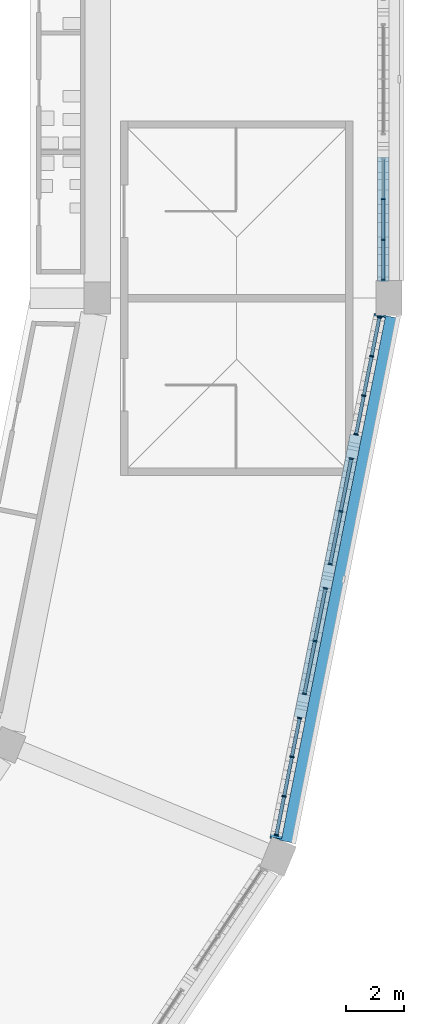
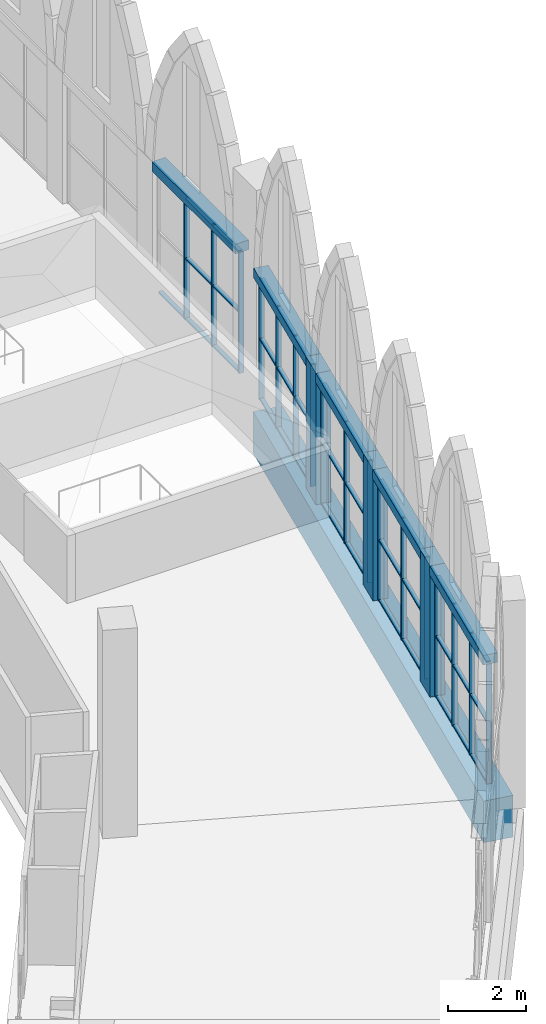
# One storey, part 21 of 130: 57 members, 6 beams, 5 elements without a shape of their own.
"""IFC4 building model written with IfcOpenShell, lengths in metres."""

from ifc_helpers import new_model, si_unit, direction, frame, origin, origin_2d, place, context, subcontext, project, spatial, rectangle, extrude, material, material_profile, profile_set, type_object, element, aggregate, save


model = new_model("IFC4")

# Units and contexts
model_context = context("Model", 3, precision=1e-05, world=origin(), true_north=direction((0.0, 1.0)))
body_context = subcontext(model_context, "Body", "Model", "MODEL_VIEW")
ifc_project = project(units=[si_unit("LENGTHUNIT", "METRE"), si_unit("AREAUNIT", "SQUARE_METRE"), si_unit("VOLUMEUNIT", "CUBIC_METRE"), si_unit("PLANEANGLEUNIT", "RADIAN"), si_unit("MASSUNIT", "GRAM", prefix="KILO")], contexts=[model_context])

# Site, building, storey
site_placement = place(None, origin())
site = spatial("IfcSite", under=ifc_project, at=site_placement, CompositionType="ELEMENT")
building_placement = place(site_placement, origin())
building = spatial("IfcBuilding", under=site, at=building_placement, Name="Ogive Plaza Stadium", CompositionType="ELEMENT")
storey_placement = place(building_placement, frame((0.0, 0.0, 22.5)))
storey = spatial("IfcBuildingStorey", under=building, at=storey_placement, Name="L05", CompositionType="ELEMENT", Elevation=22.5)

# Curtain wall, members
ifc_material_1 = material(Name="Bronze-anodised aluminium with laminated glass", Category="aluminium")
curtain_wall_type = type_object("IfcCurtainWallType", Name="Lancet curtain wall", PredefinedType="NOTDEFINED", material=ifc_material_1)
curtain_wall_1_placement = place(storey_placement, origin())
curtain_wall_1 = element("IfcCurtainWall", 1, at=curtain_wall_1_placement, inside=storey, type_object=curtain_wall_type, Name="CURTAIN WALL B07 L05", PredefinedType="NOTDEFINED")
ifc_material_2 = material(Name="Bronze-anodised aluminium", Category="aluminium")
ifc_material_profile_1 = material_profile(ifc_material_2, rectangle(XDim=0.14990234375, YDim=0.050048828125, at=origin_2d()), Name="AL 150x50")
ifc_profile_set_1 = profile_set([ifc_material_profile_1], Name="Bronze-anodised aluminium")
member_type_1 = type_object("IfcMemberType", Name="Curtain wall mullion 50x150", PredefinedType="MULLION", material=ifc_profile_set_1)
member_1_placement = place(storey_placement, frame((83.800048828125, -49.10009765625, 0.0), z_axis=(0.0, 0.0, 1.0), x_axis=(1.0, 0.0, 0.0)))
member_1 = element("IfcMember", 2, at=member_1_placement, type_object=member_type_1, Name="CW-B07-L05.3 mullion 2", PredefinedType="MULLION", context=body_context, shape_type="SweptSolid", body=[
    extrude(rectangle(XDim=0.14990234375, YDim=0.050048828125, at=origin_2d()), origin(), (0.0, 0.0, 1.0), 3.800048828125),
])
member_2_placement = place(storey_placement, frame((83.800048828125, -50.5, 0.0), z_axis=(0.0, 0.0, 1.0), x_axis=(1.0, 0.0, 0.0)))
member_2 = element("IfcMember", 3, at=member_2_placement, type_object=member_type_1, Name="CW-B07-L05.3 mullion 3", PredefinedType="MULLION", context=body_context, shape_type="SweptSolid", body=[
    extrude(rectangle(XDim=0.14990234375, YDim=0.050048828125, at=origin_2d()), origin(), (0.0, 0.0, 1.0), 3.800048828125),
])
member_3_placement = place(storey_placement, frame((83.800048828125, -51.875, 0.0), z_axis=(0.0, 0.0, 1.0), x_axis=(1.0, 0.0, 0.0)))
member_3 = element("IfcMember", 4, at=member_3_placement, type_object=member_type_1, Name="CW-B07-L05.3 mullion 4", PredefinedType="MULLION", context=body_context, shape_type="SweptSolid", body=[
    extrude(rectangle(XDim=0.14990234375, YDim=0.050048828125, at=origin_2d()), origin(), (0.0, 0.0, 1.0), 3.800048828125),
])

curtain_wall_2_placement = place(storey_placement, origin())
curtain_wall_2 = element("IfcCurtainWall", 5, at=curtain_wall_2_placement, inside=storey, type_object=curtain_wall_type, Name="CURTAIN WALL B08 L05", PredefinedType="NOTDEFINED")
member_4_placement = place(storey_placement, frame((83.6640625, -53.16357421875, 0.0), z_axis=(0.0, 0.0, 1.0), x_axis=(0.980785280403, -0.195090322016, 0.0)))
member_4 = element("IfcMember", 6, at=member_4_placement, type_object=member_type_1, Name="CW-B08-L05.1 mullion 1", PredefinedType="MULLION", context=body_context, shape_type="SweptSolid", body=[
    extrude(rectangle(XDim=0.14990234375, YDim=0.050048828125, at=origin_2d()), origin(), (0.0, 0.0, 1.0), 3.800048828125),
])
member_5_placement = place(storey_placement, frame((83.400390625, -54.48974609375, 0.0), z_axis=(0.0, 0.0, 1.0), x_axis=(0.980785280403, -0.195090322016, 0.0)))
member_5 = element("IfcMember", 7, at=member_5_placement, type_object=member_type_1, Name="CW-B08-L05.1 mullion 2", PredefinedType="MULLION", context=body_context, shape_type="SweptSolid", body=[
    extrude(rectangle(XDim=0.14990234375, YDim=0.050048828125, at=origin_2d()), origin(), (0.0, 0.0, 1.0), 3.800048828125),
])
member_6_placement = place(storey_placement, frame((83.131591796875, -55.840576171875, 0.0), z_axis=(0.0, 0.0, 1.0), x_axis=(0.980785280403, -0.195090322016, 0.0)))
member_6 = element("IfcMember", 8, at=member_6_placement, type_object=member_type_1, Name="CW-B08-L05.1 mullion 3", PredefinedType="MULLION", context=body_context, shape_type="SweptSolid", body=[
    extrude(rectangle(XDim=0.14990234375, YDim=0.050048828125, at=origin_2d()), origin(), (0.0, 0.0, 1.0), 3.800048828125),
])
member_7_placement = place(storey_placement, frame((82.867919921875, -57.166748046875, 0.0), z_axis=(0.0, 0.0, 1.0), x_axis=(0.980785280403, -0.195090322016, 0.0)))
member_7 = element("IfcMember", 9, at=member_7_placement, type_object=member_type_1, Name="CW-B08-L05.1 mullion 4", PredefinedType="MULLION", context=body_context, shape_type="SweptSolid", body=[
    extrude(rectangle(XDim=0.14990234375, YDim=0.050048828125, at=origin_2d()), origin(), (0.0, 0.0, 1.0), 3.800048828125),
])

curtain_wall_3_placement = place(storey_placement, origin())
curtain_wall_3 = element("IfcCurtainWall", 10, at=curtain_wall_3_placement, inside=storey, type_object=curtain_wall_type, Name="CURTAIN WALL B08 L05", PredefinedType="NOTDEFINED")
member_8_placement = place(storey_placement, frame((82.701904296875, -58.00048828125, 0.0), z_axis=(0.0, 0.0, 1.0), x_axis=(0.980785280417, -0.195090321948, 0.0)))
member_8 = element("IfcMember", 11, at=member_8_placement, type_object=member_type_1, Name="CW-B08-L05.2 mullion 1", PredefinedType="MULLION", context=body_context, shape_type="SweptSolid", body=[
    extrude(rectangle(XDim=0.14990234375, YDim=0.050048828125, at=origin_2d()), origin(), (0.0, 0.0, 1.0), 3.800048828125),
])
member_9_placement = place(storey_placement, frame((82.3427734375, -59.805908203125, 0.0), z_axis=(0.0, 0.0, 1.0), x_axis=(0.980785280417, -0.195090321948, 0.0)))
member_9 = element("IfcMember", 12, at=member_9_placement, type_object=member_type_1, Name="CW-B08-L05.2 mullion 2", PredefinedType="MULLION", context=body_context, shape_type="SweptSolid", body=[
    extrude(rectangle(XDim=0.14990234375, YDim=0.050048828125, at=origin_2d()), origin(), (0.0, 0.0, 1.0), 3.800048828125),
])
member_10_placement = place(storey_placement, frame((81.983642578125, -61.611328125, 0.0), z_axis=(0.0, 0.0, 1.0), x_axis=(0.980785280417, -0.195090321948, 0.0)))
member_10 = element("IfcMember", 13, at=member_10_placement, type_object=member_type_1, Name="CW-B08-L05.2 mullion 3", PredefinedType="MULLION", context=body_context, shape_type="SweptSolid", body=[
    extrude(rectangle(XDim=0.14990234375, YDim=0.050048828125, at=origin_2d()), origin(), (0.0, 0.0, 1.0), 3.800048828125),
])

curtain_wall_4_placement = place(storey_placement, origin())
curtain_wall_4 = element("IfcCurtainWall", 14, at=curtain_wall_4_placement, inside=storey, type_object=curtain_wall_type, Name="CURTAIN WALL B08 L05", PredefinedType="NOTDEFINED")
member_11_placement = place(storey_placement, frame((81.81787109375, -62.44482421875, 0.0), z_axis=(0.0, 0.0, 1.0), x_axis=(0.980785280417, -0.195090321948, 0.0)))
member_11 = element("IfcMember", 15, at=member_11_placement, type_object=member_type_1, Name="CW-B08-L05.3 mullion 1", PredefinedType="MULLION", context=body_context, shape_type="SweptSolid", body=[
    extrude(rectangle(XDim=0.14990234375, YDim=0.050048828125, at=origin_2d()), origin(), (0.0, 0.0, 1.0), 3.800048828125),
])
member_12_placement = place(storey_placement, frame((81.458740234375, -64.250244140625, 0.0), z_axis=(0.0, 0.0, 1.0), x_axis=(0.980785280417, -0.195090321948, 0.0)))
member_12 = element("IfcMember", 16, at=member_12_placement, type_object=member_type_1, Name="CW-B08-L05.3 mullion 2", PredefinedType="MULLION", context=body_context, shape_type="SweptSolid", body=[
    extrude(rectangle(XDim=0.14990234375, YDim=0.050048828125, at=origin_2d()), origin(), (0.0, 0.0, 1.0), 3.800048828125),
])
member_13_placement = place(storey_placement, frame((81.099609375, -66.0556640625, 0.0), z_axis=(0.0, 0.0, 1.0), x_axis=(0.980785280417, -0.195090321948, 0.0)))
member_13 = element("IfcMember", 17, at=member_13_placement, type_object=member_type_1, Name="CW-B08-L05.3 mullion 3", PredefinedType="MULLION", context=body_context, shape_type="SweptSolid", body=[
    extrude(rectangle(XDim=0.14990234375, YDim=0.050048828125, at=origin_2d()), origin(), (0.0, 0.0, 1.0), 3.800048828125),
])

curtain_wall_5_placement = place(storey_placement, origin())
curtain_wall_5 = element("IfcCurtainWall", 18, at=curtain_wall_5_placement, inside=storey, type_object=curtain_wall_type, Name="CURTAIN WALL B08 L05", PredefinedType="NOTDEFINED")
member_14_placement = place(storey_placement, frame((80.933837890625, -66.889404296875, 0.0), z_axis=(0.0, 0.0, 1.0), x_axis=(0.980785280403, -0.195090322016, 0.0)))
member_14 = element("IfcMember", 19, at=member_14_placement, type_object=member_type_1, Name="CW-B08-L05.4 mullion 1", PredefinedType="MULLION", context=body_context, shape_type="SweptSolid", body=[
    extrude(rectangle(XDim=0.14990234375, YDim=0.050048828125, at=origin_2d()), origin(), (0.0, 0.0, 1.0), 3.800048828125),
])
member_15_placement = place(storey_placement, frame((80.670166015625, -68.215576171875, 0.0), z_axis=(0.0, 0.0, 1.0), x_axis=(0.980785280403, -0.195090322016, 0.0)))
member_15 = element("IfcMember", 20, at=member_15_placement, type_object=member_type_1, Name="CW-B08-L05.4 mullion 2", PredefinedType="MULLION", context=body_context, shape_type="SweptSolid", body=[
    extrude(rectangle(XDim=0.14990234375, YDim=0.050048828125, at=origin_2d()), origin(), (0.0, 0.0, 1.0), 3.800048828125),
])
member_16_placement = place(storey_placement, frame((80.4013671875, -69.56640625, 0.0), z_axis=(0.0, 0.0, 1.0), x_axis=(0.980785280403, -0.195090322016, 0.0)))
member_16 = element("IfcMember", 21, at=member_16_placement, type_object=member_type_1, Name="CW-B08-L05.4 mullion 3", PredefinedType="MULLION", context=body_context, shape_type="SweptSolid", body=[
    extrude(rectangle(XDim=0.14990234375, YDim=0.050048828125, at=origin_2d()), origin(), (0.0, 0.0, 1.0), 3.800048828125),
])
member_17_placement = place(storey_placement, frame((80.137451171875, -70.892578125, 0.0), z_axis=(0.0, 0.0, 1.0), x_axis=(0.980785280403, -0.195090322016, 0.0)))
member_17 = element("IfcMember", 22, at=member_17_placement, type_object=member_type_1, Name="CW-B08-L05.4 mullion 4", PredefinedType="MULLION", context=body_context, shape_type="SweptSolid", body=[
    extrude(rectangle(XDim=0.14990234375, YDim=0.050048828125, at=origin_2d()), origin(), (0.0, 0.0, 1.0), 3.800048828125),
])

# Member
ifc_material_3 = material(Name="Bronze-anodised aluminium", Category="aluminium")
ifc_material_profile_2 = material_profile(ifc_material_3, rectangle(XDim=0.1201171875, YDim=0.050048828125, at=origin_2d()), Name="AL 120x50")
ifc_profile_set_2 = profile_set([ifc_material_profile_2], Name="Bronze-anodised aluminium")
member_type_2 = type_object("IfcMemberType", Name="Curtain wall transom 50x120", PredefinedType="USERDEFINED", material=ifc_profile_set_2)
member_18_placement = place(storey_placement, frame((83.800048828125, -47.75, 0.02490234375), z_axis=(0.0, -1.0, 0.0), x_axis=(1.0, 0.0, 0.0)))
member_18 = element("IfcMember", 23, at=member_18_placement, type_object=member_type_2, Name="CW-B07-L05.3 transom 1.1", ObjectType="TRANSOM", PredefinedType="USERDEFINED", context=body_context, shape_type="SweptSolid", body=[
    extrude(rectangle(XDim=0.1201171875, YDim=0.050048828125, at=origin_2d()), origin(), (0.0, 0.0, 1.0), 1.324951171875),
])

member_19_placement = place(storey_placement, frame((83.800048828125, -49.125, 0.02490234375), z_axis=(0.0, -1.0, 0.0), x_axis=(1.0, 0.0, 0.0)))
member_19 = element("IfcMember", 24, at=member_19_placement, type_object=member_type_2, Name="CW-B07-L05.3 transom 2.1", ObjectType="TRANSOM", PredefinedType="USERDEFINED", context=body_context, shape_type="SweptSolid", body=[
    extrude(rectangle(XDim=0.1201171875, YDim=0.050048828125, at=origin_2d()), origin(), (0.0, 0.0, 1.0), 1.35009765625),
])

member_20_placement = place(storey_placement, frame((83.800048828125, -49.125, 1.89990234375), z_axis=(0.0, -1.0, 0.0), x_axis=(1.0, 0.0, 0.0)))
member_20 = element("IfcMember", 25, at=member_20_placement, type_object=member_type_2, Name="CW-B07-L05.3 transom 2.2", ObjectType="TRANSOM", PredefinedType="USERDEFINED", context=body_context, shape_type="SweptSolid", body=[
    extrude(rectangle(XDim=0.1201171875, YDim=0.050048828125, at=origin_2d()), origin(), (0.0, 0.0, 1.0), 1.35009765625),
])

member_21_placement = place(storey_placement, frame((83.800048828125, -49.125, 3.77490234375), z_axis=(0.0, -1.0, 0.0), x_axis=(1.0, 0.0, 0.0)))
member_21 = element("IfcMember", 26, at=member_21_placement, type_object=member_type_2, Name="CW-B07-L05.3 transom 2.3", ObjectType="TRANSOM", PredefinedType="USERDEFINED", context=body_context, shape_type="SweptSolid", body=[
    extrude(rectangle(XDim=0.1201171875, YDim=0.050048828125, at=origin_2d()), origin(), (0.0, 0.0, 1.0), 1.35009765625),
])

member_22_placement = place(storey_placement, frame((83.800048828125, -50.52490234375, 0.02490234375), z_axis=(0.0, -1.0, 0.0), x_axis=(1.0, 0.0, 0.0)))
member_22 = element("IfcMember", 27, at=member_22_placement, type_object=member_type_2, Name="CW-B07-L05.3 transom 3.1", ObjectType="TRANSOM", PredefinedType="USERDEFINED", context=body_context, shape_type="SweptSolid", body=[
    extrude(rectangle(XDim=0.1201171875, YDim=0.050048828125, at=origin_2d()), origin(), (0.0, 0.0, 1.0), 1.3251953125),
])

member_23_placement = place(storey_placement, frame((83.800048828125, -50.52490234375, 1.89990234375), z_axis=(0.0, -1.0, 0.0), x_axis=(1.0, 0.0, 0.0)))
member_23 = element("IfcMember", 28, at=member_23_placement, type_object=member_type_2, Name="CW-B07-L05.3 transom 3.2", ObjectType="TRANSOM", PredefinedType="USERDEFINED", context=body_context, shape_type="SweptSolid", body=[
    extrude(rectangle(XDim=0.1201171875, YDim=0.050048828125, at=origin_2d()), origin(), (0.0, 0.0, 1.0), 1.3251953125),
])

member_24_placement = place(storey_placement, frame((83.800048828125, -50.52490234375, 3.77490234375), z_axis=(0.0, -1.0, 0.0), x_axis=(1.0, 0.0, 0.0)))
member_24 = element("IfcMember", 29, at=member_24_placement, type_object=member_type_2, Name="CW-B07-L05.3 transom 3.3", ObjectType="TRANSOM", PredefinedType="USERDEFINED", context=body_context, shape_type="SweptSolid", body=[
    extrude(rectangle(XDim=0.1201171875, YDim=0.050048828125, at=origin_2d()), origin(), (0.0, 0.0, 1.0), 1.3251953125),
])

aggregate(curtain_wall_1, [member_1, member_2, member_3, member_18, member_19, member_20, member_21, member_22, member_23, member_24])

member_25_placement = place(storey_placement, frame((83.6591796875, -53.18798828125, 0.02490234375), z_axis=(-0.194962375892, -0.980810721794, 0.0), x_axis=(0.980810721794, -0.194962375892, 0.0)))
member_25 = element("IfcMember", 30, at=member_25_placement, type_object=member_type_2, Name="CW-B08-L05.1 transom 1.1", ObjectType="TRANSOM", PredefinedType="USERDEFINED", context=body_context, shape_type="SweptSolid", body=[
    extrude(rectangle(XDim=0.1201171875, YDim=0.050048828125, at=origin_2d()), origin(), (0.0, 0.0, 1.0), 1.30224609375),
])

member_26_placement = place(storey_placement, frame((83.6591796875, -53.18798828125, 1.89990234375), z_axis=(-0.194962375892, -0.980810721794, 0.0), x_axis=(0.980810721794, -0.194962375892, 0.0)))
member_26 = element("IfcMember", 31, at=member_26_placement, type_object=member_type_2, Name="CW-B08-L05.1 transom 1.2", ObjectType="TRANSOM", PredefinedType="USERDEFINED", context=body_context, shape_type="SweptSolid", body=[
    extrude(rectangle(XDim=0.1201171875, YDim=0.050048828125, at=origin_2d()), origin(), (0.0, 0.0, 1.0), 1.30224609375),
])

member_27_placement = place(storey_placement, frame((83.6591796875, -53.18798828125, 3.77490234375), z_axis=(-0.194962375892, -0.980810721794, 0.0), x_axis=(0.980810721794, -0.194962375892, 0.0)))
member_27 = element("IfcMember", 32, at=member_27_placement, type_object=member_type_2, Name="CW-B08-L05.1 transom 1.3", ObjectType="TRANSOM", PredefinedType="USERDEFINED", context=body_context, shape_type="SweptSolid", body=[
    extrude(rectangle(XDim=0.1201171875, YDim=0.050048828125, at=origin_2d()), origin(), (0.0, 0.0, 1.0), 1.30224609375),
])

member_28_placement = place(storey_placement, frame((83.3955078125, -54.51416015625, 0.02490234375), z_axis=(-0.195160965974, -0.980771225801, 0.0), x_axis=(0.980771225801, -0.195160965974, 0.0)))
member_28 = element("IfcMember", 33, at=member_28_placement, type_object=member_type_2, Name="CW-B08-L05.1 transom 2.1", ObjectType="TRANSOM", PredefinedType="USERDEFINED", context=body_context, shape_type="SweptSolid", body=[
    extrude(rectangle(XDim=0.1201171875, YDim=0.050048828125, at=origin_2d()), origin(), (0.0, 0.0, 1.0), 1.327392578125),
])

member_29_placement = place(storey_placement, frame((83.3955078125, -54.51416015625, 1.89990234375), z_axis=(-0.195160965974, -0.980771225801, 0.0), x_axis=(0.980771225801, -0.195160965974, 0.0)))
member_29 = element("IfcMember", 34, at=member_29_placement, type_object=member_type_2, Name="CW-B08-L05.1 transom 2.2", ObjectType="TRANSOM", PredefinedType="USERDEFINED", context=body_context, shape_type="SweptSolid", body=[
    extrude(rectangle(XDim=0.1201171875, YDim=0.050048828125, at=origin_2d()), origin(), (0.0, 0.0, 1.0), 1.327392578125),
])

member_30_placement = place(storey_placement, frame((83.3955078125, -54.51416015625, 3.77490234375), z_axis=(-0.195160965974, -0.980771225801, 0.0), x_axis=(0.980771225801, -0.195160965974, 0.0)))
member_30 = element("IfcMember", 35, at=member_30_placement, type_object=member_type_2, Name="CW-B08-L05.1 transom 2.3", ObjectType="TRANSOM", PredefinedType="USERDEFINED", context=body_context, shape_type="SweptSolid", body=[
    extrude(rectangle(XDim=0.1201171875, YDim=0.050048828125, at=origin_2d()), origin(), (0.0, 0.0, 1.0), 1.327392578125),
])

member_31_placement = place(storey_placement, frame((83.126708984375, -55.864990234375, 0.02490234375), z_axis=(-0.194998229409, -0.980803594267, 0.0), x_axis=(0.980803594267, -0.194998229409, 0.0)))
member_31 = element("IfcMember", 36, at=member_31_placement, type_object=member_type_2, Name="CW-B08-L05.1 transom 3.1", ObjectType="TRANSOM", PredefinedType="USERDEFINED", context=body_context, shape_type="SweptSolid", body=[
    extrude(rectangle(XDim=0.1201171875, YDim=0.050048828125, at=origin_2d()), origin(), (0.0, 0.0, 1.0), 1.302001953125),
])

member_32_placement = place(storey_placement, frame((83.126708984375, -55.864990234375, 1.89990234375), z_axis=(-0.194998229409, -0.980803594267, 0.0), x_axis=(0.980803594267, -0.194998229409, 0.0)))
member_32 = element("IfcMember", 37, at=member_32_placement, type_object=member_type_2, Name="CW-B08-L05.1 transom 3.2", ObjectType="TRANSOM", PredefinedType="USERDEFINED", context=body_context, shape_type="SweptSolid", body=[
    extrude(rectangle(XDim=0.1201171875, YDim=0.050048828125, at=origin_2d()), origin(), (0.0, 0.0, 1.0), 1.302001953125),
])

member_33_placement = place(storey_placement, frame((83.126708984375, -55.864990234375, 3.77490234375), z_axis=(-0.194998229409, -0.980803594267, 0.0), x_axis=(0.980803594267, -0.194998229409, 0.0)))
member_33 = element("IfcMember", 38, at=member_33_placement, type_object=member_type_2, Name="CW-B08-L05.1 transom 3.3", ObjectType="TRANSOM", PredefinedType="USERDEFINED", context=body_context, shape_type="SweptSolid", body=[
    extrude(rectangle(XDim=0.1201171875, YDim=0.050048828125, at=origin_2d()), origin(), (0.0, 0.0, 1.0), 1.302001953125),
])

aggregate(curtain_wall_2, [member_4, member_5, member_6, member_7, member_25, member_26, member_27, member_28, member_29, member_30, member_31, member_32, member_33])

member_34_placement = place(storey_placement, frame((82.697021484375, -58.02490234375, 0.02490234375), z_axis=(-0.195093525761, -0.980784643133, 0.0), x_axis=(0.980784643133, -0.195093525761, 0.0)))
member_34 = element("IfcMember", 39, at=member_34_placement, type_object=member_type_2, Name="CW-B08-L05.2 transom 1.1", ObjectType="TRANSOM", PredefinedType="USERDEFINED", context=body_context, shape_type="SweptSolid", body=[
    extrude(rectangle(XDim=0.1201171875, YDim=0.050048828125, at=origin_2d()), origin(), (0.0, 0.0, 1.0), 1.790771484375),
])

member_35_placement = place(storey_placement, frame((82.697021484375, -58.02490234375, 1.89990234375), z_axis=(-0.195093525761, -0.980784643133, 0.0), x_axis=(0.980784643133, -0.195093525761, 0.0)))
member_35 = element("IfcMember", 40, at=member_35_placement, type_object=member_type_2, Name="CW-B08-L05.2 transom 1.2", ObjectType="TRANSOM", PredefinedType="USERDEFINED", context=body_context, shape_type="SweptSolid", body=[
    extrude(rectangle(XDim=0.1201171875, YDim=0.050048828125, at=origin_2d()), origin(), (0.0, 0.0, 1.0), 1.790771484375),
])

member_36_placement = place(storey_placement, frame((82.697021484375, -58.02490234375, 3.77490234375), z_axis=(-0.195093525761, -0.980784643133, 0.0), x_axis=(0.980784643133, -0.195093525761, 0.0)))
member_36 = element("IfcMember", 41, at=member_36_placement, type_object=member_type_2, Name="CW-B08-L05.2 transom 1.3", ObjectType="TRANSOM", PredefinedType="USERDEFINED", context=body_context, shape_type="SweptSolid", body=[
    extrude(rectangle(XDim=0.1201171875, YDim=0.050048828125, at=origin_2d()), origin(), (0.0, 0.0, 1.0), 1.790771484375),
])

member_37_placement = place(storey_placement, frame((82.337890625, -59.830322265625, 0.02490234375), z_axis=(-0.195093525761, -0.980784643133, 0.0), x_axis=(0.980784643133, -0.195093525761, 0.0)))
member_37 = element("IfcMember", 42, at=member_37_placement, type_object=member_type_2, Name="CW-B08-L05.2 transom 2.1", ObjectType="TRANSOM", PredefinedType="USERDEFINED", context=body_context, shape_type="SweptSolid", body=[
    extrude(rectangle(XDim=0.1201171875, YDim=0.050048828125, at=origin_2d()), origin(), (0.0, 0.0, 1.0), 1.790771484375),
])

member_38_placement = place(storey_placement, frame((82.337890625, -59.830322265625, 1.89990234375), z_axis=(-0.195093525761, -0.980784643133, 0.0), x_axis=(0.980784643133, -0.195093525761, 0.0)))
member_38 = element("IfcMember", 43, at=member_38_placement, type_object=member_type_2, Name="CW-B08-L05.2 transom 2.2", ObjectType="TRANSOM", PredefinedType="USERDEFINED", context=body_context, shape_type="SweptSolid", body=[
    extrude(rectangle(XDim=0.1201171875, YDim=0.050048828125, at=origin_2d()), origin(), (0.0, 0.0, 1.0), 1.790771484375),
])

member_39_placement = place(storey_placement, frame((82.337890625, -59.830322265625, 3.77490234375), z_axis=(-0.195093525761, -0.980784643133, 0.0), x_axis=(0.980784643133, -0.195093525761, 0.0)))
member_39 = element("IfcMember", 44, at=member_39_placement, type_object=member_type_2, Name="CW-B08-L05.2 transom 2.3", ObjectType="TRANSOM", PredefinedType="USERDEFINED", context=body_context, shape_type="SweptSolid", body=[
    extrude(rectangle(XDim=0.1201171875, YDim=0.050048828125, at=origin_2d()), origin(), (0.0, 0.0, 1.0), 1.790771484375),
])

aggregate(curtain_wall_3, [member_8, member_9, member_10, member_34, member_35, member_36, member_37, member_38, member_39])

member_40_placement = place(storey_placement, frame((81.81298828125, -62.469482421875, 0.02490234375), z_axis=(-0.195093525761, -0.980784643133, 0.0), x_axis=(0.980784643133, -0.195093525761, 0.0)))
member_40 = element("IfcMember", 45, at=member_40_placement, type_object=member_type_2, Name="CW-B08-L05.3 transom 1.1", ObjectType="TRANSOM", PredefinedType="USERDEFINED", context=body_context, shape_type="SweptSolid", body=[
    extrude(rectangle(XDim=0.1201171875, YDim=0.050048828125, at=origin_2d()), origin(), (0.0, 0.0, 1.0), 1.790771484375),
])

member_41_placement = place(storey_placement, frame((81.81298828125, -62.469482421875, 1.89990234375), z_axis=(-0.195093525761, -0.980784643133, 0.0), x_axis=(0.980784643133, -0.195093525761, 0.0)))
member_41 = element("IfcMember", 46, at=member_41_placement, type_object=member_type_2, Name="CW-B08-L05.3 transom 1.2", ObjectType="TRANSOM", PredefinedType="USERDEFINED", context=body_context, shape_type="SweptSolid", body=[
    extrude(rectangle(XDim=0.1201171875, YDim=0.050048828125, at=origin_2d()), origin(), (0.0, 0.0, 1.0), 1.790771484375),
])

member_42_placement = place(storey_placement, frame((81.81298828125, -62.469482421875, 3.77490234375), z_axis=(-0.195093525761, -0.980784643133, 0.0), x_axis=(0.980784643133, -0.195093525761, 0.0)))
member_42 = element("IfcMember", 47, at=member_42_placement, type_object=member_type_2, Name="CW-B08-L05.3 transom 1.3", ObjectType="TRANSOM", PredefinedType="USERDEFINED", context=body_context, shape_type="SweptSolid", body=[
    extrude(rectangle(XDim=0.1201171875, YDim=0.050048828125, at=origin_2d()), origin(), (0.0, 0.0, 1.0), 1.790771484375),
])

member_43_placement = place(storey_placement, frame((81.453857421875, -64.27490234375, 0.02490234375), z_axis=(-0.195093525761, -0.980784643133, 0.0), x_axis=(0.980784643133, -0.195093525761, 0.0)))
member_43 = element("IfcMember", 48, at=member_43_placement, type_object=member_type_2, Name="CW-B08-L05.3 transom 2.1", ObjectType="TRANSOM", PredefinedType="USERDEFINED", context=body_context, shape_type="SweptSolid", body=[
    extrude(rectangle(XDim=0.1201171875, YDim=0.050048828125, at=origin_2d()), origin(), (0.0, 0.0, 1.0), 1.790771484375),
])

member_44_placement = place(storey_placement, frame((81.453857421875, -64.27490234375, 1.89990234375), z_axis=(-0.195093525761, -0.980784643133, 0.0), x_axis=(0.980784643133, -0.195093525761, 0.0)))
member_44 = element("IfcMember", 49, at=member_44_placement, type_object=member_type_2, Name="CW-B08-L05.3 transom 2.2", ObjectType="TRANSOM", PredefinedType="USERDEFINED", context=body_context, shape_type="SweptSolid", body=[
    extrude(rectangle(XDim=0.1201171875, YDim=0.050048828125, at=origin_2d()), origin(), (0.0, 0.0, 1.0), 1.790771484375),
])

member_45_placement = place(storey_placement, frame((81.453857421875, -64.27490234375, 3.77490234375), z_axis=(-0.195093525761, -0.980784643133, 0.0), x_axis=(0.980784643133, -0.195093525761, 0.0)))
member_45 = element("IfcMember", 50, at=member_45_placement, type_object=member_type_2, Name="CW-B08-L05.3 transom 2.3", ObjectType="TRANSOM", PredefinedType="USERDEFINED", context=body_context, shape_type="SweptSolid", body=[
    extrude(rectangle(XDim=0.1201171875, YDim=0.050048828125, at=origin_2d()), origin(), (0.0, 0.0, 1.0), 1.790771484375),
])

aggregate(curtain_wall_4, [member_11, member_12, member_13, member_40, member_41, member_42, member_43, member_44, member_45])

member_46_placement = place(storey_placement, frame((80.928955078125, -66.9140625, 0.02490234375), z_axis=(-0.195178588319, -0.980767719015, 0.0), x_axis=(0.980767719015, -0.195178588319, 0.0)))
member_46 = element("IfcMember", 51, at=member_46_placement, type_object=member_type_2, Name="CW-B08-L05.4 transom 1.1", ObjectType="TRANSOM", PredefinedType="USERDEFINED", context=body_context, shape_type="SweptSolid", body=[
    extrude(rectangle(XDim=0.1201171875, YDim=0.050048828125, at=origin_2d()), origin(), (0.0, 0.0, 1.0), 1.30224609375),
])

member_47_placement = place(storey_placement, frame((80.928955078125, -66.9140625, 1.89990234375), z_axis=(-0.195178588319, -0.980767719015, 0.0), x_axis=(0.980767719015, -0.195178588319, 0.0)))
member_47 = element("IfcMember", 52, at=member_47_placement, type_object=member_type_2, Name="CW-B08-L05.4 transom 1.2", ObjectType="TRANSOM", PredefinedType="USERDEFINED", context=body_context, shape_type="SweptSolid", body=[
    extrude(rectangle(XDim=0.1201171875, YDim=0.050048828125, at=origin_2d()), origin(), (0.0, 0.0, 1.0), 1.30224609375),
])

member_48_placement = place(storey_placement, frame((80.928955078125, -66.9140625, 3.77490234375), z_axis=(-0.195178588319, -0.980767719015, 0.0), x_axis=(0.980767719015, -0.195178588319, 0.0)))
member_48 = element("IfcMember", 53, at=member_48_placement, type_object=member_type_2, Name="CW-B08-L05.4 transom 1.3", ObjectType="TRANSOM", PredefinedType="USERDEFINED", context=body_context, shape_type="SweptSolid", body=[
    extrude(rectangle(XDim=0.1201171875, YDim=0.050048828125, at=origin_2d()), origin(), (0.0, 0.0, 1.0), 1.30224609375),
])

member_49_placement = place(storey_placement, frame((80.665283203125, -68.240234375, 0.02490234375), z_axis=(-0.19519617995, -0.980764218012, 0.0), x_axis=(0.980764218012, -0.19519617995, 0.0)))
member_49 = element("IfcMember", 54, at=member_49_placement, type_object=member_type_2, Name="CW-B08-L05.4 transom 2.1", ObjectType="TRANSOM", PredefinedType="USERDEFINED", context=body_context, shape_type="SweptSolid", body=[
    extrude(rectangle(XDim=0.1201171875, YDim=0.050048828125, at=origin_2d()), origin(), (0.0, 0.0, 1.0), 1.3271484375),
])

member_50_placement = place(storey_placement, frame((80.665283203125, -68.240234375, 1.89990234375), z_axis=(-0.19519617995, -0.980764218012, 0.0), x_axis=(0.980764218012, -0.19519617995, 0.0)))
member_50 = element("IfcMember", 55, at=member_50_placement, type_object=member_type_2, Name="CW-B08-L05.4 transom 2.2", ObjectType="TRANSOM", PredefinedType="USERDEFINED", context=body_context, shape_type="SweptSolid", body=[
    extrude(rectangle(XDim=0.1201171875, YDim=0.050048828125, at=origin_2d()), origin(), (0.0, 0.0, 1.0), 1.3271484375),
])

member_51_placement = place(storey_placement, frame((80.665283203125, -68.240234375, 3.77490234375), z_axis=(-0.19519617995, -0.980764218012, 0.0), x_axis=(0.980764218012, -0.19519617995, 0.0)))
member_51 = element("IfcMember", 56, at=member_51_placement, type_object=member_type_2, Name="CW-B08-L05.4 transom 2.3", ObjectType="TRANSOM", PredefinedType="USERDEFINED", context=body_context, shape_type="SweptSolid", body=[
    extrude(rectangle(XDim=0.1201171875, YDim=0.050048828125, at=origin_2d()), origin(), (0.0, 0.0, 1.0), 1.3271484375),
])

member_52_placement = place(storey_placement, frame((80.396484375, -69.5908203125, 0.02490234375), z_axis=(-0.195142704264, -0.980774859472, 0.0), x_axis=(0.980774859472, -0.195142704264, 0.0)))
member_52 = element("IfcMember", 57, at=member_52_placement, type_object=member_type_2, Name="CW-B08-L05.4 transom 3.1", ObjectType="TRANSOM", PredefinedType="USERDEFINED", context=body_context, shape_type="SweptSolid", body=[
    extrude(rectangle(XDim=0.1201171875, YDim=0.050048828125, at=origin_2d()), origin(), (0.0, 0.0, 1.0), 1.302490234375),
])

member_53_placement = place(storey_placement, frame((80.396484375, -69.5908203125, 1.89990234375), z_axis=(-0.195142704264, -0.980774859472, 0.0), x_axis=(0.980774859472, -0.195142704264, 0.0)))
member_53 = element("IfcMember", 58, at=member_53_placement, type_object=member_type_2, Name="CW-B08-L05.4 transom 3.2", ObjectType="TRANSOM", PredefinedType="USERDEFINED", context=body_context, shape_type="SweptSolid", body=[
    extrude(rectangle(XDim=0.1201171875, YDim=0.050048828125, at=origin_2d()), origin(), (0.0, 0.0, 1.0), 1.302490234375),
])

member_54_placement = place(storey_placement, frame((80.396484375, -69.5908203125, 3.77490234375), z_axis=(-0.195142704264, -0.980774859472, 0.0), x_axis=(0.980774859472, -0.195142704264, 0.0)))
member_54 = element("IfcMember", 59, at=member_54_placement, type_object=member_type_2, Name="CW-B08-L05.4 transom 3.3", ObjectType="TRANSOM", PredefinedType="USERDEFINED", context=body_context, shape_type="SweptSolid", body=[
    extrude(rectangle(XDim=0.1201171875, YDim=0.050048828125, at=origin_2d()), origin(), (0.0, 0.0, 1.0), 1.302490234375),
])

aggregate(curtain_wall_5, [member_14, member_15, member_16, member_17, member_46, member_47, member_48, member_49, member_50, member_51, member_52, member_53, member_54])

# Members
ifc_material_4 = material(Name="Concrete C45/55 precast", Category="concrete")
ifc_material_profile_3 = material_profile(ifc_material_4, rectangle(XDim=0.39990234375, YDim=0.800048828125, at=origin_2d()), Name="RC 400x800")
ifc_profile_set_3 = profile_set([ifc_material_profile_3], Name="Concrete C45/55 precast")
member_type_3 = type_object("IfcMemberType", Name="Precast colonette 800x400", PredefinedType="POST", material=ifc_profile_set_3)
for number, where, z_axis, x_axis, name in (
    (60, (82.784912109375, -57.58349609375, 0.0), (0.0, 0.0, 1.0), (0.980785280403, -0.195090322016, 0.0), "COLONETTE B08 1"),
    (61, (81.90087890625, -62.028076171875, 0.0), (0.0, 0.0, 1.0), (0.980785280403, -0.195090322016, 0.0), "COLONETTE B08 2"),
    (62, (81.016845703125, -66.47265625, 0.0), (0.0, 0.0, 1.0), (0.980785280403, -0.195090322016, 0.0), "COLONETTE B08 3"),
):
    element("IfcMember", number, at=place(storey_placement, frame(where, z_axis=z_axis, x_axis=x_axis)), inside=storey, type_object=member_type_3, Name=name, PredefinedType="POST", context=body_context, shape_type="SweptSolid", body=[
        extrude(rectangle(XDim=0.39990234375, YDim=0.800048828125, at=origin_2d()), origin(), (0.0, 0.0, 1.0), 4.10009765625),
    ])

# Beams
ifc_material_5 = material(Name="Concrete C45/55 precast", Category="concrete")
ifc_material_profile_4 = material_profile(ifc_material_5, rectangle(XDim=0.39990234375, YDim=0.300048828125, at=origin_2d()), Name="RC 400x300")
ifc_profile_set_4 = profile_set([ifc_material_profile_4], Name="Concrete C45/55 precast")
beam_type_1 = type_object("IfcBeamType", Name="Precast tympanum lintel 400x300", PredefinedType="BEAM", material=ifc_profile_set_4)
beam_1_placement = place(storey_placement, frame((83.800048828125, -47.669921875, 3.949951171875), z_axis=(0.0, -1.0, 0.0), x_axis=(1.0, 0.0, 0.0)))
element("IfcBeam", 63, at=beam_1_placement, inside=storey, type_object=beam_type_1, Name="TYMPANUM LINTEL B07 3", PredefinedType="BEAM", context=body_context, shape_type="SweptSolid", body=[
    extrude(rectangle(XDim=0.39990234375, YDim=0.300048828125, at=origin_2d()), origin(), (0.0, 0.0, 1.0), 4.260009765625),
])
beam_2_placement = place(storey_placement, frame((83.6748046875, -53.109619140625, 3.949951171875), z_axis=(-0.195063128335, -0.980790689171, 0.0), x_axis=(0.980790689171, -0.195063128335, 0.0)))
element("IfcBeam", 64, at=beam_2_placement, inside=storey, type_object=beam_type_1, Name="TYMPANUM LINTEL B08 1", PredefinedType="BEAM", context=body_context, shape_type="SweptSolid", body=[
    extrude(rectangle(XDim=0.39990234375, YDim=0.300048828125, at=origin_2d()), origin(), (0.0, 0.0, 1.0), 4.191650390625),
])
for number, where, z_axis, x_axis, name in (
    (65, (82.712646484375, -57.946533203125, 3.949951171875), (-0.195100654669, -0.980783225054, 0.0), (0.980783225054, -0.195100654669, 0.0), "TYMPANUM LINTEL B08 2"),
    (66, (81.82861328125, -62.390869140625, 3.949951171875), (-0.195100654669, -0.980783225054, 0.0), (0.980783225054, -0.195100654669, 0.0), "TYMPANUM LINTEL B08 3"),
):
    element("IfcBeam", number, at=place(storey_placement, frame(where, z_axis=z_axis, x_axis=x_axis)), inside=storey, type_object=beam_type_1, Name=name, PredefinedType="BEAM", context=body_context, shape_type="SweptSolid", body=[
        extrude(rectangle(XDim=0.39990234375, YDim=0.300048828125, at=origin_2d()), origin(), (0.0, 0.0, 1.0), 3.79150390625),
    ])
beam_3_placement = place(storey_placement, frame((80.944580078125, -66.83544921875, 3.949951171875), z_axis=(-0.195075797594, -0.980788169379, 0.0), x_axis=(0.980788169379, -0.195075797594, 0.0)))
element("IfcBeam", 67, at=beam_3_placement, inside=storey, type_object=beam_type_1, Name="TYMPANUM LINTEL B08 4", PredefinedType="BEAM", context=body_context, shape_type="SweptSolid", body=[
    extrude(rectangle(XDim=0.39990234375, YDim=0.300048828125, at=origin_2d()), origin(), (0.0, 0.0, 1.0), 4.24267578125),
])
ifc_material_6 = material(Name="Concrete C40/50", Category="concrete")
ifc_material_profile_5 = material_profile(ifc_material_6, rectangle(XDim=0.800048828125, YDim=1.300048828125, at=origin_2d()), Name="RC 800x1300")
ifc_profile_set_5 = profile_set([ifc_material_profile_5], Name="Concrete C40/50")
beam_type_2 = type_object("IfcBeamType", Name="RC spandrel beam 800x1300", PredefinedType="SPANDREL", material=ifc_profile_set_5)
beam_4_placement = place(storey_placement, frame((83.880615234375, -53.10009765625, -1.06005859375), z_axis=(-0.195084152283, -0.980786507619, 0.0), x_axis=(0.980786507619, -0.195084152283, 0.0)))
element("IfcBeam", 68, at=beam_4_placement, inside=storey, type_object=beam_type_2, Name="Ring beam F5 L05 B08", PredefinedType="SPANDREL", context=body_context, shape_type="SweptSolid", body=[
    extrude(rectangle(XDim=0.800048828125, YDim=1.300048828125, at=origin_2d()), origin(), (0.0, 0.0, 1.0), 18.33642578125),
])

save(model, "model.ifc")
